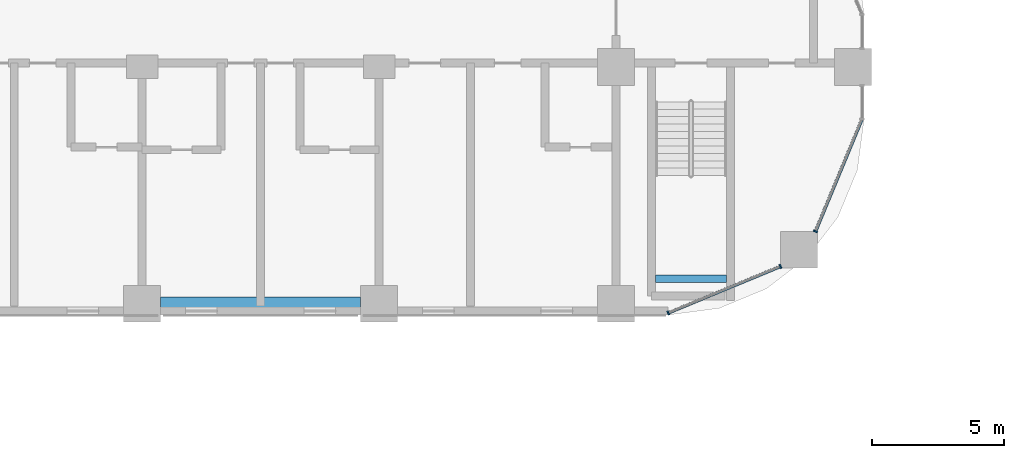
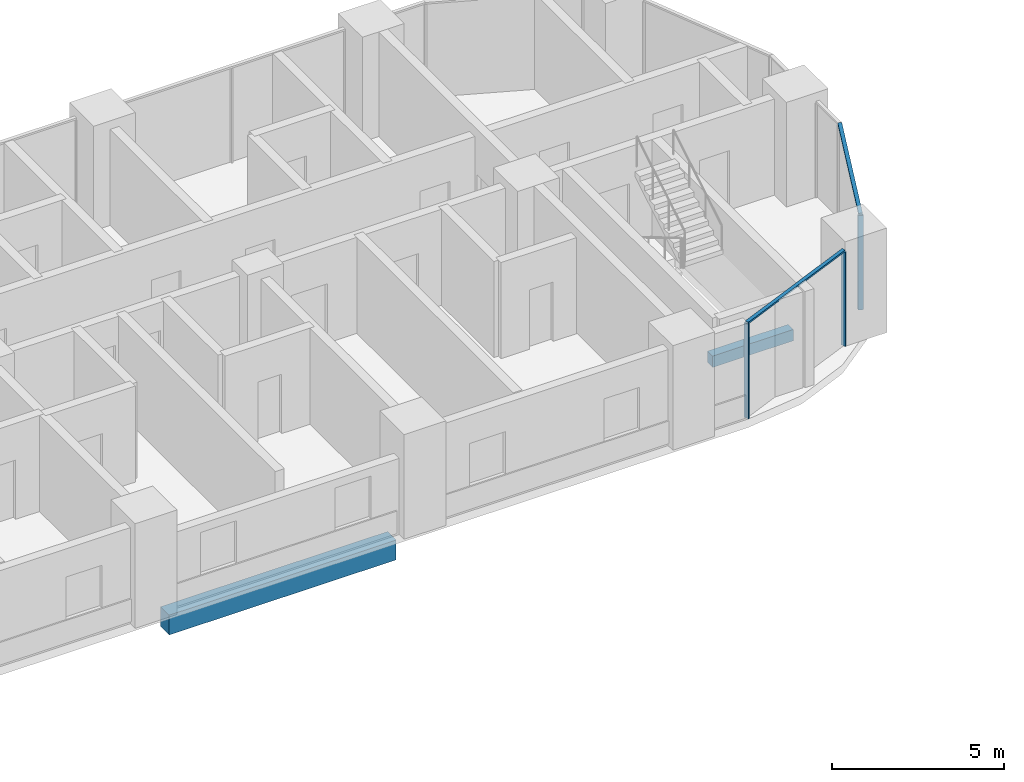
# One storey, part 3 of 31: 5 members, 2 beams, 2 elements without a shape of their own.
"""IFC4 building model written with IfcOpenShell, lengths in metres."""

from ifc_helpers import new_model, si_unit, direction, frame, origin, origin_2d, place, context, subcontext, project, spatial, rectangle, extrude, material, material_profile, profile_set, type_object, element, aggregate, save


model = new_model("IFC4")

# Units and contexts
model_context = context("Model", 3, precision=1e-05, world=origin(), true_north=direction((0.0, 1.0)))
body_context = subcontext(model_context, "Body", "Model", "MODEL_VIEW")
ifc_project = project(units=[si_unit("LENGTHUNIT", "METRE"), si_unit("AREAUNIT", "SQUARE_METRE"), si_unit("VOLUMEUNIT", "CUBIC_METRE"), si_unit("PLANEANGLEUNIT", "RADIAN"), si_unit("MASSUNIT", "GRAM", prefix="KILO")], contexts=[model_context])

# Site, building, storey
site_placement = place(None, origin())
site = spatial("IfcSite", under=ifc_project, at=site_placement, CompositionType="ELEMENT")
building_placement = place(site_placement, origin())
building = spatial("IfcBuilding", under=site, at=building_placement, Name="Ogive Portal Towers", CompositionType="ELEMENT")
storey_placement = place(building_placement, frame((0.0, 0.0, 40.89990234375)))
storey = spatial("IfcBuildingStorey", under=building, at=storey_placement, Name="L08", CompositionType="ELEMENT", Elevation=40.89990234375)

# Beam
ifc_material_1 = material(Name="Concrete C40/50", Category="concrete")
ifc_material_profile_1 = material_profile(ifc_material_1, rectangle(XDim=0.300048828125, YDim=0.39990234375, at=origin_2d()), Name="RC 300x400")
ifc_profile_set_1 = profile_set([ifc_material_profile_1], Name="Concrete C40/50")
beam_type_1 = type_object("IfcBeamType", Name="BEAM RC 300x400", PredefinedType="BEAM", material=ifc_profile_set_1)
beam_1_placement = place(storey_placement, frame((87.0, 22.449951171875, 1.4501953125), z_axis=(1.0, 0.0, 0.0), x_axis=(0.0, 1.0, 0.0)))
element("IfcBeam", 1, at=beam_1_placement, inside=storey, type_object=beam_type_1, Name="Landing beam L08", PredefinedType="BEAM", context=body_context, shape_type="SweptSolid", body=[
    extrude(rectangle(XDim=0.300048828125, YDim=0.39990234375, at=origin_2d()), origin(), (0.0, 0.0, 1.0), 2.699951171875),
])

# Curtain wall, members
ifc_material_2 = material(Name="Glass, clear low-iron insulated glazing", Category="glass")
curtain_wall_type = type_object("IfcCurtainWallType", Name="CW FRONT RIBBON 4500", PredefinedType="NOTDEFINED", material=ifc_material_2)
curtain_wall_1_placement = place(storey_placement, origin())
curtain_wall_1 = element("IfcCurtainWall", 2, at=curtain_wall_1_placement, inside=storey, type_object=curtain_wall_type, Name="A:L08:f22:cwa~0", PredefinedType="NOTDEFINED")
ifc_material_3 = material(Name="Aluminium 6063 anodised", Category="aluminium")
ifc_material_profile_2 = material_profile(ifc_material_3, rectangle(XDim=0.159912109375, YDim=0.06005859375, at=origin_2d()), Name="AL 60x160")
ifc_profile_set_2 = profile_set([ifc_material_profile_2], Name="Aluminium 6063 anodised")
member_type_1 = type_object("IfcMemberType", Name="CW MULLION 60x160", PredefinedType="MULLION", material=ifc_profile_set_2)
member_1_placement = place(storey_placement, frame((87.484130859375, 21.155029296875, 0.0), z_axis=(0.0, 0.0, 1.0), x_axis=(-0.382683432365, 0.923879532511, 0.0)))
member_1 = element("IfcMember", 3, at=member_1_placement, type_object=member_type_1, Name="mullion", PredefinedType="MULLION", context=body_context, shape_type="SweptSolid", body=[
    extrude(rectangle(XDim=0.159912109375, YDim=0.06005859375, at=origin_2d()), origin(), (0.0, 0.0, 1.0), 3.340087890625),
])
member_2_placement = place(storey_placement, frame((91.75, 22.922119140625, 0.0), z_axis=(0.0, 0.0, 1.0), x_axis=(-0.382683432365, 0.923879532511, 0.0)))
member_2 = element("IfcMember", 4, at=member_2_placement, type_object=member_type_1, Name="mullion", PredefinedType="MULLION", context=body_context, shape_type="SweptSolid", body=[
    extrude(rectangle(XDim=0.159912109375, YDim=0.06005859375, at=origin_2d()), origin(), (0.0, 0.0, 1.0), 3.340087890625),
])

# Curtain wall, member
curtain_wall_2_placement = place(storey_placement, origin())
curtain_wall_2 = element("IfcCurtainWall", 5, at=curtain_wall_2_placement, inside=storey, type_object=curtain_wall_type, Name="A:L08:f22:cwa~1", PredefinedType="NOTDEFINED")
member_3_placement = place(storey_placement, frame((93.077880859375, 24.25, 0.0), z_axis=(0.0, 0.0, 1.0), x_axis=(-0.923879532511, 0.382683432365, 0.0)))
member_3 = element("IfcMember", 6, at=member_3_placement, type_object=member_type_1, Name="mullion", PredefinedType="MULLION", context=body_context, shape_type="SweptSolid", body=[
    extrude(rectangle(XDim=0.159912109375, YDim=0.06005859375, at=origin_2d()), origin(), (0.0, 0.0, 1.0), 3.340087890625),
])

# Member
ifc_material_profile_3 = material_profile(ifc_material_3, rectangle(XDim=0.1201171875, YDim=0.06005859375, at=origin_2d()), Name="AL 120x60")
ifc_profile_set_3 = profile_set([ifc_material_profile_3], Name="Aluminium 6063 anodised")
member_type_2 = type_object("IfcMemberType", Name="CW TRANSOM 60x120", PredefinedType="USERDEFINED", material=ifc_profile_set_3)
member_4_placement = place(storey_placement, frame((87.484130859375, 21.155029296875, 3.3701171875), z_axis=(0.923871186892, 0.38270357985, 0.0), x_axis=(-0.38270357985, 0.923871186892, 0.0)))
member_4 = element("IfcMember", 7, at=member_4_placement, type_object=member_type_2, Name="transom", ObjectType="TRANSOM", PredefinedType="USERDEFINED", context=body_context, shape_type="SweptSolid", body=[
    extrude(rectangle(XDim=0.1201171875, YDim=0.06005859375, at=origin_2d()), origin(), (0.0, 0.0, 1.0), 4.617431640625),
])

aggregate(curtain_wall_1, [member_4, member_1, member_2])

member_5_placement = place(storey_placement, frame((93.077880859375, 24.25, 3.3701171875), z_axis=(0.38270357985, 0.923871186892, 0.0), x_axis=(-0.923871186892, 0.38270357985, 0.0)))
member_5 = element("IfcMember", 8, at=member_5_placement, type_object=member_type_2, Name="transom", ObjectType="TRANSOM", PredefinedType="USERDEFINED", context=body_context, shape_type="SweptSolid", body=[
    extrude(rectangle(XDim=0.1201171875, YDim=0.06005859375, at=origin_2d()), origin(), (0.0, 0.0, 1.0), 4.617431640625),
])

aggregate(curtain_wall_2, [member_5, member_3])

# Beam
ifc_material_profile_4 = material_profile(ifc_material_1, rectangle(XDim=0.5, YDim=0.699951171875, at=origin_2d()), Name="RC 500x700")
ifc_profile_set_4 = profile_set([ifc_material_profile_4], Name="Concrete C40/50")
beam_type_2 = type_object("IfcBeamType", Name="SPANDREL BEAM RC 500x700", PredefinedType="BEAM", material=ifc_profile_set_4)
beam_2_placement = place(storey_placement, frame((75.800048828125, 21.5, -0.64990234375), z_axis=(-1.0, 0.0, 0.0), x_axis=(0.0, -1.0, 0.0)))
element("IfcBeam", 9, at=beam_2_placement, inside=storey, type_object=beam_type_2, Name="Spandrel beam L08", PredefinedType="BEAM", context=body_context, shape_type="SweptSolid", body=[
    extrude(rectangle(XDim=0.5, YDim=0.699951171875, at=origin_2d()), origin(), (0.0, 0.0, 1.0), 7.60009765625),
])

save(model, "model.ifc")
